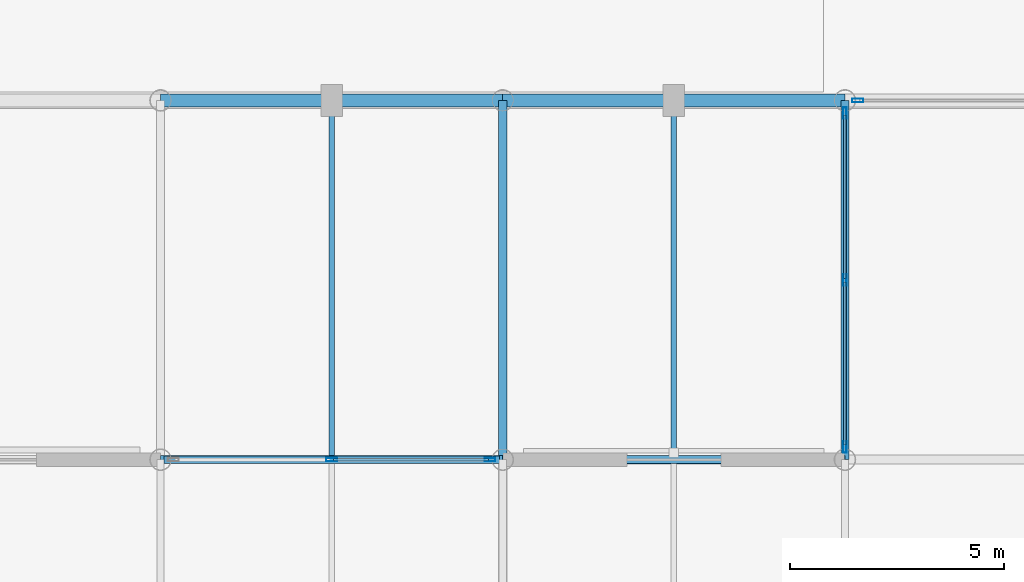
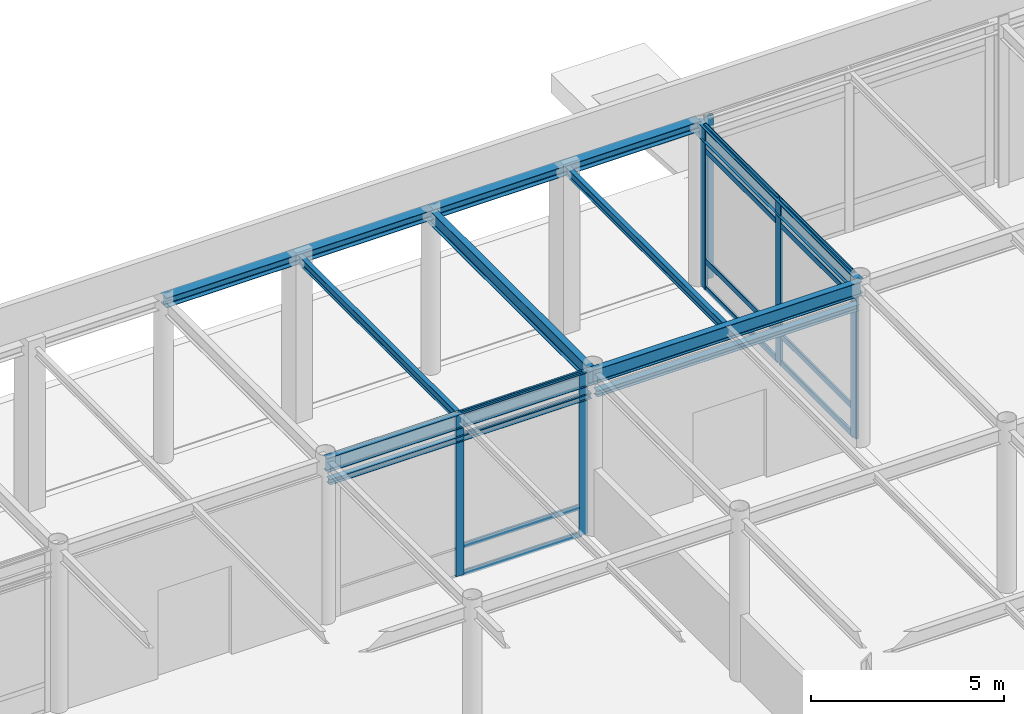
# One storey, part 42 of 89: 18 members, 10 beams, 3 elements without a shape of their own.
"""IFC4 building model written with IfcOpenShell, lengths in metres."""

from ifc_helpers import new_model, si_unit, direction, frame, origin, origin_2d, place, context, subcontext, project, spatial, hollow_rectangle, i_section, extrude, material, layer, layer_set, material_profile, profile_set, type_object, element, aggregate, save


model = new_model("IFC4")

# Units and contexts
model_context = context("Model", 3, precision=1e-05, world=origin(), true_north=direction((0.0, 1.0)))
body_context = subcontext(model_context, "Body", "Model", "MODEL_VIEW")
ifc_project = project(units=[si_unit("LENGTHUNIT", "METRE"), si_unit("AREAUNIT", "SQUARE_METRE"), si_unit("VOLUMEUNIT", "CUBIC_METRE"), si_unit("PLANEANGLEUNIT", "RADIAN"), si_unit("MASSUNIT", "GRAM", prefix="KILO")], contexts=[model_context])

# Site, building, storey
site_placement = place(None, origin())
site = spatial("IfcSite", under=ifc_project, at=site_placement, CompositionType="ELEMENT")
building_placement = place(site_placement, origin())
building = spatial("IfcBuilding", under=site, at=building_placement, Name="Shalkamar Park Central Library", CompositionType="ELEMENT")
storey_placement = place(building_placement, origin())
storey = spatial("IfcBuildingStorey", under=building, at=storey_placement, Name="L01", CompositionType="ELEMENT", Elevation=0.0)

# Beams
ifc_material_1 = material(Name="Steel S355", Category="steel")
ifc_material_profile_1 = material_profile(ifc_material_1, i_section(OverallWidth=0.135009765625, OverallDepth=0.27001953125, WebThickness=0.006591796875, FlangeThickness=0.01025390625, FilletRadius=0.014892578125, at=origin_2d()), Name="IPE 270")
ifc_profile_set_1 = profile_set([ifc_material_profile_1], Name="Steel S355")
beam_type_1 = type_object("IfcBeamType", Name="Composite Floor Joist IPE270", PredefinedType="JOIST", material=ifc_profile_set_1)
for number, where, z_axis, x_axis, name in (
    (1, (225.0, 345.693115234375, 5.0048828125), (0.0, 1.0, 0.0), (-1.0, 0.0, 0.0), "Composite Joist 14/Q-1 (L01)"),
    (2, (233.0, 345.693115234375, 5.0048828125), (0.0, 1.0, 0.0), (-1.0, 0.0, 0.0), "Composite Joist 15/Q-1 (L01)"),
):
    element("IfcBeam", number, at=place(storey_placement, frame(where, z_axis=z_axis, x_axis=x_axis)), inside=storey, type_object=beam_type_1, Name=name, PredefinedType="JOIST", context=body_context, shape_type="SweptSolid", body=[
        extrude(i_section(OverallWidth=0.135009765625, OverallDepth=0.27001953125, WebThickness=0.006591796875, FlangeThickness=0.01025390625, FilletRadius=0.014892578125, at=origin_2d()), origin(), (0.0, 0.0, 1.0), 8.158935546875),
    ])

# Curtain wall, members
ifc_material_2 = material(Name="Thermally broken aluminium and triple low-e curtain wall", Category="aluminium")
ifc_layer_1 = layer(ifc_material_2, 0.2548828125)
ifc_layer_set_1 = layer_set([ifc_layer_1], Name="UnitisedCurtainWall_08")
curtain_wall_type_1 = type_object("IfcCurtainWallType", Name="Unitised Curtain Wall 08", PredefinedType="USERDEFINED", material=ifc_layer_set_1)
curtain_wall_1_placement = place(storey_placement, origin())
curtain_wall_1 = element("IfcCurtainWall", 3, at=curtain_wall_1_placement, inside=storey, type_object=curtain_wall_type_1, Name="Unitised Curtain Wall CW-L01-011", ObjectType="UNITISED CURTAIN WALL", PredefinedType="USERDEFINED")
ifc_material_3 = material(Name="Aluminium 6060-T66", Category="aluminium")
ifc_material_profile_2 = material_profile(ifc_material_3, hollow_rectangle(XDim=0.080078125, YDim=0.2548828125, WallThickness=0.00439453125, InnerFilletRadius=0.00439453125, OuterFilletRadius=0.0068359375, at=origin_2d()), Name="ALU 80x255x4.5")
ifc_profile_set_2 = profile_set([ifc_material_profile_2], Name="Aluminium 6060-T66")
member_type_1 = type_object("IfcMemberType", Name="Curtain Wall Mullion ALU80x255", PredefinedType="MULLION", material=ifc_profile_set_2)
member_1_placement = place(storey_placement, frame((225.0, 345.60009765625, 0.0), z_axis=(0.0, 0.0, 1.0), x_axis=(0.0, 1.0, 0.0)))
member_1 = element("IfcMember", 4, at=member_1_placement, type_object=member_type_1, Name="CW-08 mullion 2", PredefinedType="MULLION", context=body_context, shape_type="SweptSolid", body=[
    extrude(hollow_rectangle(XDim=0.080078125, YDim=0.2548828125, WallThickness=0.00439453125, InnerFilletRadius=0.00439453125, OuterFilletRadius=0.0068359375, at=origin_2d()), origin(), (0.0, 0.0, 1.0), 5.139892578125),
])
member_2_placement = place(storey_placement, frame((228.701904296875, 345.60009765625, 0.0), z_axis=(0.0, 0.0, 1.0), x_axis=(0.0, 1.0, 0.0)))
member_2 = element("IfcMember", 5, at=member_2_placement, type_object=member_type_1, Name="CW-08 mullion 3", PredefinedType="MULLION", context=body_context, shape_type="SweptSolid", body=[
    extrude(hollow_rectangle(XDim=0.080078125, YDim=0.2548828125, WallThickness=0.00439453125, InnerFilletRadius=0.00439453125, OuterFilletRadius=0.0068359375, at=origin_2d()), origin(), (0.0, 0.0, 1.0), 5.139892578125),
])

ifc_layer_2 = layer(ifc_material_2, 0.27001953125)
ifc_layer_set_2 = layer_set([ifc_layer_2], Name="UnitisedCurtainWall_15")
curtain_wall_type_2 = type_object("IfcCurtainWallType", Name="Unitised Curtain Wall 15", PredefinedType="USERDEFINED", material=ifc_layer_set_2)
curtain_wall_2_placement = place(storey_placement, origin())
curtain_wall_2 = element("IfcCurtainWall", 6, at=curtain_wall_2_placement, inside=storey, type_object=curtain_wall_type_2, Name="Unitised Curtain Wall CW-L01-016", ObjectType="UNITISED CURTAIN WALL", PredefinedType="USERDEFINED")
ifc_material_profile_3 = material_profile(ifc_material_3, hollow_rectangle(XDim=0.080078125, YDim=0.27001953125, WallThickness=0.0048828125, InnerFilletRadius=0.0048828125, OuterFilletRadius=0.007568359375, at=origin_2d()), Name="ALU 80x270x5")
ifc_profile_set_3 = profile_set([ifc_material_profile_3], Name="Aluminium 6060-T66")
member_type_2 = type_object("IfcMemberType", Name="Curtain Wall Mullion ALU80x270", PredefinedType="MULLION", material=ifc_profile_set_3)
member_3_placement = place(storey_placement, frame((237.0, 345.89794921875, 0.0), z_axis=(0.0, 0.0, 1.0), x_axis=(-1.0, 0.0, 0.0)))
member_3 = element("IfcMember", 7, at=member_3_placement, type_object=member_type_2, Name="CW-15 mullion 1", PredefinedType="MULLION", context=body_context, shape_type="SweptSolid", body=[
    extrude(hollow_rectangle(XDim=0.080078125, YDim=0.27001953125, WallThickness=0.0048828125, InnerFilletRadius=0.0048828125, OuterFilletRadius=0.007568359375, at=origin_2d()), origin(), (0.0, 0.0, 1.0), 5.139892578125),
])
member_4_placement = place(storey_placement, frame((237.0, 349.800048828125, 0.0), z_axis=(0.0, 0.0, 1.0), x_axis=(-1.0, 0.0, 0.0)))
member_4 = element("IfcMember", 8, at=member_4_placement, type_object=member_type_2, Name="CW-15 mullion 2", PredefinedType="MULLION", context=body_context, shape_type="SweptSolid", body=[
    extrude(hollow_rectangle(XDim=0.080078125, YDim=0.27001953125, WallThickness=0.0048828125, InnerFilletRadius=0.0048828125, OuterFilletRadius=0.007568359375, at=origin_2d()), origin(), (0.0, 0.0, 1.0), 5.139892578125),
])
member_5_placement = place(storey_placement, frame((237.0, 353.701904296875, 0.0), z_axis=(0.0, 0.0, 1.0), x_axis=(-1.0, 0.0, 0.0)))
member_5 = element("IfcMember", 9, at=member_5_placement, type_object=member_type_2, Name="CW-15 mullion 3", PredefinedType="MULLION", context=body_context, shape_type="SweptSolid", body=[
    extrude(hollow_rectangle(XDim=0.080078125, YDim=0.27001953125, WallThickness=0.0048828125, InnerFilletRadius=0.0048828125, OuterFilletRadius=0.007568359375, at=origin_2d()), origin(), (0.0, 0.0, 1.0), 5.139892578125),
])

# Curtain wall, member
ifc_layer_3 = layer(ifc_material_2, 0.264892578125)
ifc_layer_set_3 = layer_set([ifc_layer_3], Name="UnitisedCurtainWall_11")
curtain_wall_type_3 = type_object("IfcCurtainWallType", Name="Unitised Curtain Wall 11", PredefinedType="USERDEFINED", material=ifc_layer_set_3)
curtain_wall_3_placement = place(storey_placement, origin())
curtain_wall_3 = element("IfcCurtainWall", 10, at=curtain_wall_3_placement, inside=storey, type_object=curtain_wall_type_3, Name="Unitised Curtain Wall CW-L01-012", ObjectType="UNITISED CURTAIN WALL", PredefinedType="USERDEFINED")
ifc_material_profile_4 = material_profile(ifc_material_3, hollow_rectangle(XDim=0.0849609375, YDim=0.264892578125, WallThickness=0.0048828125, InnerFilletRadius=0.0048828125, OuterFilletRadius=0.007568359375, at=origin_2d()), Name="ALU 85x265x5")
ifc_profile_set_4 = profile_set([ifc_material_profile_4], Name="Aluminium 6060-T66")
member_type_3 = type_object("IfcMemberType", Name="Curtain Wall Mullion ALU85x265", PredefinedType="MULLION", material=ifc_profile_set_4)
member_6_placement = place(storey_placement, frame((237.300537109375, 354.0, 0.0), z_axis=(0.0, 0.0, 1.0), x_axis=(0.0, 1.0, 0.0)))
member_6 = element("IfcMember", 11, at=member_6_placement, type_object=member_type_3, Name="CW-11 mullion 1", PredefinedType="MULLION", context=body_context, shape_type="SweptSolid", body=[
    extrude(hollow_rectangle(XDim=0.0849609375, YDim=0.264892578125, WallThickness=0.0048828125, InnerFilletRadius=0.0048828125, OuterFilletRadius=0.007568359375, at=origin_2d()), origin(), (0.0, 0.0, 1.0), 5.14990234375),
])
aggregate(curtain_wall_3, [member_6])

# Member
ifc_material_profile_5 = material_profile(ifc_material_3, hollow_rectangle(XDim=0.06494140625, YDim=0.169921875, WallThickness=0.00390625, InnerFilletRadius=0.00390625, OuterFilletRadius=0.006103515625, at=origin_2d()), Name="ALU 65x170x4")
ifc_profile_set_5 = profile_set([ifc_material_profile_5], Name="Aluminium 6060-T66")
member_type_4 = type_object("IfcMemberType", Name="Curtain Wall Transom ALU65x170", PredefinedType="USERDEFINED", material=ifc_profile_set_5)
member_7_placement = place(storey_placement, frame((225.0400390625, 345.60009765625, 0.032470703125), z_axis=(1.0, 0.0, 0.0), x_axis=(0.0, 1.0, 0.0)))
member_7 = element("IfcMember", 12, at=member_7_placement, type_object=member_type_4, Name="CW-08 transom 2.1", ObjectType="TRANSOM", PredefinedType="USERDEFINED", context=body_context, shape_type="SweptSolid", body=[
    extrude(hollow_rectangle(XDim=0.06494140625, YDim=0.169921875, WallThickness=0.00390625, InnerFilletRadius=0.00390625, OuterFilletRadius=0.006103515625, at=origin_2d()), origin(), (0.0, 0.0, 1.0), 3.6220703125),
])

member_8_placement = place(storey_placement, frame((225.0400390625, 345.60009765625, 0.89990234375), z_axis=(1.0, 0.0, 0.0), x_axis=(0.0, 1.0, 0.0)))
member_8 = element("IfcMember", 13, at=member_8_placement, type_object=member_type_4, Name="CW-08 transom 2.2", ObjectType="TRANSOM", PredefinedType="USERDEFINED", context=body_context, shape_type="SweptSolid", body=[
    extrude(hollow_rectangle(XDim=0.06494140625, YDim=0.169921875, WallThickness=0.00390625, InnerFilletRadius=0.00390625, OuterFilletRadius=0.006103515625, at=origin_2d()), origin(), (0.0, 0.0, 1.0), 3.6220703125),
])

member_9_placement = place(storey_placement, frame((225.0400390625, 345.60009765625, 4.389892578125), z_axis=(1.0, 0.0, 0.0), x_axis=(0.0, 1.0, 0.0)))
member_9 = element("IfcMember", 14, at=member_9_placement, type_object=member_type_4, Name="CW-08 transom 2.3", ObjectType="TRANSOM", PredefinedType="USERDEFINED", context=body_context, shape_type="SweptSolid", body=[
    extrude(hollow_rectangle(XDim=0.06494140625, YDim=0.169921875, WallThickness=0.00390625, InnerFilletRadius=0.00390625, OuterFilletRadius=0.006103515625, at=origin_2d()), origin(), (0.0, 0.0, 1.0), 3.6220703125),
])

member_10_placement = place(storey_placement, frame((225.0400390625, 345.60009765625, 5.107421875), z_axis=(1.0, 0.0, 0.0), x_axis=(0.0, 1.0, 0.0)))
member_10 = element("IfcMember", 15, at=member_10_placement, type_object=member_type_4, Name="CW-08 transom 2.4", ObjectType="TRANSOM", PredefinedType="USERDEFINED", context=body_context, shape_type="SweptSolid", body=[
    extrude(hollow_rectangle(XDim=0.06494140625, YDim=0.169921875, WallThickness=0.00390625, InnerFilletRadius=0.00390625, OuterFilletRadius=0.006103515625, at=origin_2d()), origin(), (0.0, 0.0, 1.0), 3.6220703125),
])

aggregate(curtain_wall_1, [member_1, member_2, member_7, member_8, member_9, member_10])

ifc_material_profile_6 = material_profile(ifc_material_3, hollow_rectangle(XDim=0.06494140625, YDim=0.175048828125, WallThickness=0.00439453125, InnerFilletRadius=0.00439453125, OuterFilletRadius=0.0068359375, at=origin_2d()), Name="ALU 65x175x4.5")
ifc_profile_set_6 = profile_set([ifc_material_profile_6], Name="Aluminium 6060-T66")
member_type_5 = type_object("IfcMemberType", Name="Curtain Wall Transom ALU65x175", PredefinedType="USERDEFINED", material=ifc_profile_set_6)
member_11_placement = place(storey_placement, frame((237.0, 345.93798828125, 0.032470703125), z_axis=(0.0, 1.0, 0.0), x_axis=(-1.0, 0.0, 0.0)))
member_11 = element("IfcMember", 16, at=member_11_placement, type_object=member_type_5, Name="CW-15 transom 1.1", ObjectType="TRANSOM", PredefinedType="USERDEFINED", context=body_context, shape_type="SweptSolid", body=[
    extrude(hollow_rectangle(XDim=0.06494140625, YDim=0.175048828125, WallThickness=0.00439453125, InnerFilletRadius=0.00439453125, OuterFilletRadius=0.0068359375, at=origin_2d()), origin(), (0.0, 0.0, 1.0), 3.822021484375),
])

member_12_placement = place(storey_placement, frame((237.0, 345.93798828125, 0.89990234375), z_axis=(0.0, 1.0, 0.0), x_axis=(-1.0, 0.0, 0.0)))
member_12 = element("IfcMember", 17, at=member_12_placement, type_object=member_type_5, Name="CW-15 transom 1.2", ObjectType="TRANSOM", PredefinedType="USERDEFINED", context=body_context, shape_type="SweptSolid", body=[
    extrude(hollow_rectangle(XDim=0.06494140625, YDim=0.175048828125, WallThickness=0.00439453125, InnerFilletRadius=0.00439453125, OuterFilletRadius=0.0068359375, at=origin_2d()), origin(), (0.0, 0.0, 1.0), 3.822021484375),
])

member_13_placement = place(storey_placement, frame((237.0, 345.93798828125, 4.389892578125), z_axis=(0.0, 1.0, 0.0), x_axis=(-1.0, 0.0, 0.0)))
member_13 = element("IfcMember", 18, at=member_13_placement, type_object=member_type_5, Name="CW-15 transom 1.3", ObjectType="TRANSOM", PredefinedType="USERDEFINED", context=body_context, shape_type="SweptSolid", body=[
    extrude(hollow_rectangle(XDim=0.06494140625, YDim=0.175048828125, WallThickness=0.00439453125, InnerFilletRadius=0.00439453125, OuterFilletRadius=0.0068359375, at=origin_2d()), origin(), (0.0, 0.0, 1.0), 3.822021484375),
])

member_14_placement = place(storey_placement, frame((237.0, 345.93798828125, 5.107421875), z_axis=(0.0, 1.0, 0.0), x_axis=(-1.0, 0.0, 0.0)))
member_14 = element("IfcMember", 19, at=member_14_placement, type_object=member_type_5, Name="CW-15 transom 1.4", ObjectType="TRANSOM", PredefinedType="USERDEFINED", context=body_context, shape_type="SweptSolid", body=[
    extrude(hollow_rectangle(XDim=0.06494140625, YDim=0.175048828125, WallThickness=0.00439453125, InnerFilletRadius=0.00439453125, OuterFilletRadius=0.0068359375, at=origin_2d()), origin(), (0.0, 0.0, 1.0), 3.822021484375),
])

member_15_placement = place(storey_placement, frame((237.0, 349.840087890625, 0.032470703125), z_axis=(0.0, 1.0, 0.0), x_axis=(-1.0, 0.0, 0.0)))
member_15 = element("IfcMember", 20, at=member_15_placement, type_object=member_type_5, Name="CW-15 transom 2.1", ObjectType="TRANSOM", PredefinedType="USERDEFINED", context=body_context, shape_type="SweptSolid", body=[
    extrude(hollow_rectangle(XDim=0.06494140625, YDim=0.175048828125, WallThickness=0.00439453125, InnerFilletRadius=0.00439453125, OuterFilletRadius=0.0068359375, at=origin_2d()), origin(), (0.0, 0.0, 1.0), 3.822021484375),
])

member_16_placement = place(storey_placement, frame((237.0, 349.840087890625, 0.89990234375), z_axis=(0.0, 1.0, 0.0), x_axis=(-1.0, 0.0, 0.0)))
member_16 = element("IfcMember", 21, at=member_16_placement, type_object=member_type_5, Name="CW-15 transom 2.2", ObjectType="TRANSOM", PredefinedType="USERDEFINED", context=body_context, shape_type="SweptSolid", body=[
    extrude(hollow_rectangle(XDim=0.06494140625, YDim=0.175048828125, WallThickness=0.00439453125, InnerFilletRadius=0.00439453125, OuterFilletRadius=0.0068359375, at=origin_2d()), origin(), (0.0, 0.0, 1.0), 3.822021484375),
])

member_17_placement = place(storey_placement, frame((237.0, 349.840087890625, 4.389892578125), z_axis=(0.0, 1.0, 0.0), x_axis=(-1.0, 0.0, 0.0)))
member_17 = element("IfcMember", 22, at=member_17_placement, type_object=member_type_5, Name="CW-15 transom 2.3", ObjectType="TRANSOM", PredefinedType="USERDEFINED", context=body_context, shape_type="SweptSolid", body=[
    extrude(hollow_rectangle(XDim=0.06494140625, YDim=0.175048828125, WallThickness=0.00439453125, InnerFilletRadius=0.00439453125, OuterFilletRadius=0.0068359375, at=origin_2d()), origin(), (0.0, 0.0, 1.0), 3.822021484375),
])

member_18_placement = place(storey_placement, frame((237.0, 349.840087890625, 5.107421875), z_axis=(0.0, 1.0, 0.0), x_axis=(-1.0, 0.0, 0.0)))
member_18 = element("IfcMember", 23, at=member_18_placement, type_object=member_type_5, Name="CW-15 transom 2.4", ObjectType="TRANSOM", PredefinedType="USERDEFINED", context=body_context, shape_type="SweptSolid", body=[
    extrude(hollow_rectangle(XDim=0.06494140625, YDim=0.175048828125, WallThickness=0.00439453125, InnerFilletRadius=0.00439453125, OuterFilletRadius=0.0068359375, at=origin_2d()), origin(), (0.0, 0.0, 1.0), 3.822021484375),
])

aggregate(curtain_wall_2, [member_3, member_4, member_5, member_11, member_12, member_13, member_14, member_15, member_16, member_17, member_18])

# Beams
ifc_material_profile_7 = material_profile(ifc_material_1, i_section(OverallWidth=0.179931640625, OverallDepth=0.1708984375, WebThickness=0.006103515625, FlangeThickness=0.009521484375, FilletRadius=0.014892578125, at=origin_2d()), Name="HEA 180")
ifc_profile_set_7 = profile_set([ifc_material_profile_7], Name="Steel S355")
beam_type_2 = type_object("IfcBeamType", Name="Opening Lintel Beam HEA180", PredefinedType="LINTEL", material=ifc_profile_set_7)
beam_1_placement = place(storey_placement, frame((221.080078125, 345.60009765625, 4.35009765625), z_axis=(1.0, 0.0, 0.0), x_axis=(0.0, 1.0, 0.0)))
element("IfcBeam", 24, at=beam_1_placement, inside=storey, type_object=beam_type_2, Name="Opening Lintel L01-16", PredefinedType="LINTEL", context=body_context, shape_type="SweptSolid", body=[
    extrude(i_section(OverallWidth=0.179931640625, OverallDepth=0.1708984375, WebThickness=0.006103515625, FlangeThickness=0.009521484375, FilletRadius=0.014892578125, at=origin_2d()), origin(), (0.0, 0.0, 1.0), 7.83984375),
])
ifc_material_profile_8 = material_profile(ifc_material_1, i_section(OverallWidth=0.199951171875, OverallDepth=0.18994140625, WebThickness=0.006591796875, FlangeThickness=0.010009765625, FilletRadius=0.01806640625, at=origin_2d()), Name="HEA 200")
ifc_profile_set_8 = profile_set([ifc_material_profile_8], Name="Steel S355")
beam_type_3 = type_object("IfcBeamType", Name="Opening Lintel Beam HEA200", PredefinedType="LINTEL", material=ifc_profile_set_8)
beam_2_placement = place(storey_placement, frame((229.080078125, 345.60009765625, 4.35009765625), z_axis=(1.0, 0.0, 0.0), x_axis=(0.0, 1.0, 0.0)))
element("IfcBeam", 25, at=beam_2_placement, inside=storey, type_object=beam_type_3, Name="Opening Lintel L01-17", PredefinedType="LINTEL", context=body_context, shape_type="SweptSolid", body=[
    extrude(i_section(OverallWidth=0.199951171875, OverallDepth=0.18994140625, WebThickness=0.006591796875, FlangeThickness=0.010009765625, FilletRadius=0.01806640625, at=origin_2d()), origin(), (0.0, 0.0, 1.0), 7.83984375),
])
ifc_material_profile_9 = material_profile(ifc_material_1, i_section(OverallWidth=0.300048828125, OverallDepth=0.31005859375, WebThickness=0.009033203125, FlangeThickness=0.015380859375, FilletRadius=0.027099609375, at=origin_2d()), Name="HEA 320")
ifc_profile_set_9 = profile_set([ifc_material_profile_9], Name="Steel S355")
beam_type_4 = type_object("IfcBeamType", Name="Perimeter Spandrel Beam HEA320", PredefinedType="SPANDREL", material=ifc_profile_set_9)
for number, where, z_axis, x_axis, name in (
    (26, (221.0, 354.0, 4.9951171875), (1.0, 0.0, 0.0), (0.0, 1.0, 0.0), "Beam R:14-15 (L01)"),
    (27, (229.0, 354.0, 4.9951171875), (1.0, 0.0, 0.0), (0.0, 1.0, 0.0), "Beam R:15-16 (L01)"),
):
    element("IfcBeam", number, at=place(storey_placement, frame(where, z_axis=z_axis, x_axis=x_axis)), inside=storey, type_object=beam_type_4, Name=name, PredefinedType="SPANDREL", context=body_context, shape_type="SweptSolid", body=[
        extrude(i_section(OverallWidth=0.300048828125, OverallDepth=0.31005859375, WebThickness=0.009033203125, FlangeThickness=0.015380859375, FilletRadius=0.027099609375, at=origin_2d()), origin(), (0.0, 0.0, 1.0), 8.0),
    ])
ifc_material_profile_10 = material_profile(ifc_material_1, i_section(OverallWidth=0.18994140625, OverallDepth=0.449951171875, WebThickness=0.009521484375, FlangeThickness=0.0146484375, FilletRadius=0.02099609375, at=origin_2d()), Name="IPE 450")
ifc_profile_set_10 = profile_set([ifc_material_profile_10], Name="Steel S355")
beam_type_5 = type_object("IfcBeamType", Name="Primary Girder IPE450", PredefinedType="BEAM", material=ifc_profile_set_10)
for number, where, z_axis, x_axis, name in (
    (28, (221.0, 345.60009765625, 4.9150390625), (1.0, 0.0, 0.0), (0.0, 1.0, 0.0), "Beam Q:14-15 (L01)"),
    (29, (229.0, 345.60009765625, 4.9150390625), (1.0, 0.0, 0.0), (0.0, 1.0, 0.0), "Beam Q:15-16 (L01)"),
):
    element("IfcBeam", number, at=place(storey_placement, frame(where, z_axis=z_axis, x_axis=x_axis)), inside=storey, type_object=beam_type_5, Name=name, PredefinedType="BEAM", context=body_context, shape_type="SweptSolid", body=[
        extrude(i_section(OverallWidth=0.18994140625, OverallDepth=0.449951171875, WebThickness=0.009521484375, FlangeThickness=0.0146484375, FilletRadius=0.02099609375, at=origin_2d()), origin(), (0.0, 0.0, 1.0), 8.0),
    ])
for number, where, z_axis, x_axis, name in (
    (30, (229.0, 345.60009765625, 4.9150390625), (0.0, 1.0, 0.0), (-1.0, 0.0, 0.0), "Beam 15:Q-R (L01)"),
    (31, (237.0, 345.60009765625, 4.9150390625), (0.0, 1.0, 0.0), (-1.0, 0.0, 0.0), "Beam 16:Q-R (L01)"),
):
    element("IfcBeam", number, at=place(storey_placement, frame(where, z_axis=z_axis, x_axis=x_axis)), inside=storey, type_object=beam_type_5, Name=name, PredefinedType="BEAM", context=body_context, shape_type="SweptSolid", body=[
        extrude(i_section(OverallWidth=0.18994140625, OverallDepth=0.449951171875, WebThickness=0.009521484375, FlangeThickness=0.0146484375, FilletRadius=0.02099609375, at=origin_2d()), origin(), (0.0, 0.0, 1.0), 8.39990234375),
    ])

save(model, "model.ifc")
